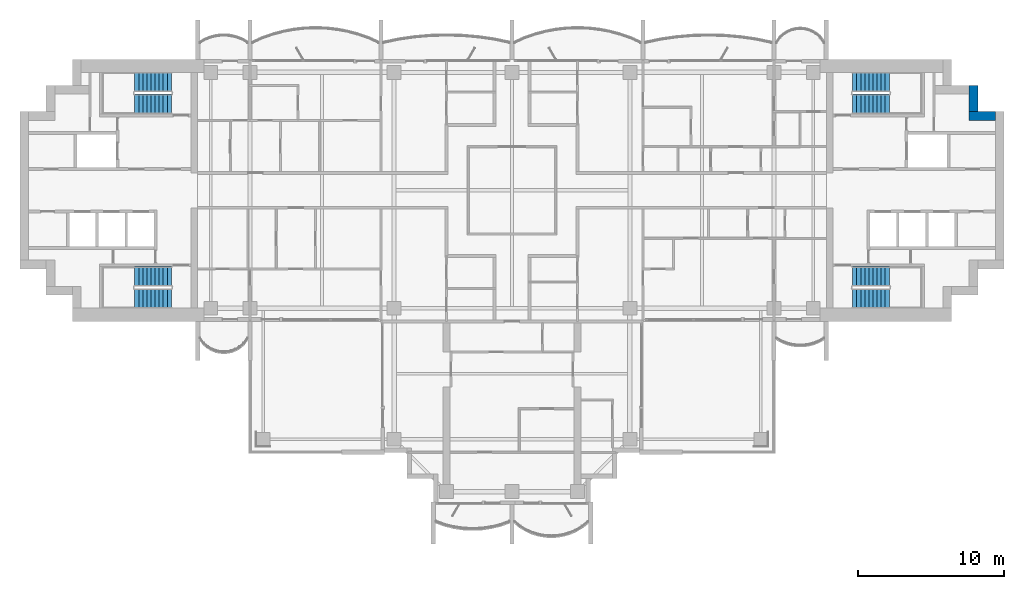
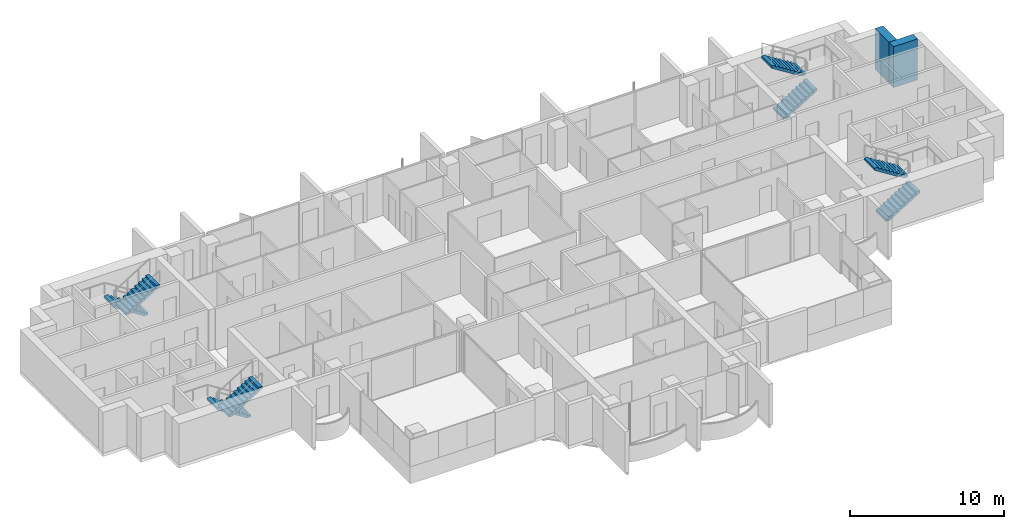
# One storey, part 14 of 18: 8 stair flights, 2 walls, 4 elements without a shape of their own.
"""IFC4 building model written with IfcOpenShell, lengths in metres."""

from ifc_helpers import new_model, si_unit, direction, frame, frame_2d, origin, place, context, subcontext, project, spatial, polyline, rectangle, outline, extrude, material, layer, layer_set, type_object, element, aggregate, save


model = new_model("IFC4")

# Units and contexts
model_context = context("Model", 3, precision=1e-05, world=origin(), true_north=direction((0.0, 1.0)))
body_context = subcontext(model_context, "Body", "Model", "MODEL_VIEW")
ifc_project = project(units=[si_unit("LENGTHUNIT", "METRE"), si_unit("AREAUNIT", "SQUARE_METRE"), si_unit("VOLUMEUNIT", "CUBIC_METRE"), si_unit("PLANEANGLEUNIT", "RADIAN"), si_unit("MASSUNIT", "GRAM", prefix="KILO")], contexts=[model_context])

# Site, building, storey
site_placement = place(None, origin())
site = spatial("IfcSite", under=ifc_project, at=site_placement, CompositionType="ELEMENT")
building_placement = place(site_placement, origin())
building = spatial("IfcBuilding", under=site, at=building_placement, Name="Perihelion Cross Residences", CompositionType="ELEMENT")
storey_placement = place(building_placement, frame((0.0, 0.0, 173.60009765625)))
storey = spatial("IfcBuildingStorey", under=building, at=storey_placement, Name="L42", CompositionType="ELEMENT", Elevation=173.60009765625)

# Walls
ifc_material_1 = material(Name="Concrete C60/75", Category="concrete")
ifc_layer = layer(ifc_material_1, 0.60009765625)
ifc_layer_set = layer_set([ifc_layer], Name="Core wall, outer 600")
wall_type = type_object("IfcWallType", Name="Core wall, outer 600", PredefinedType="SHEAR", material=ifc_layer_set)
for number, where, z_axis, x_axis, name in (
    (1, (31.39990234375, 5.10009765625, 0.0), (0.0, 0.0, 1.0), (1.0, 0.0, 0.0), "East core core wall, outer"),
    (2, (31.699951171875, 5.39990234375, 0.0), (0.0, 0.0, 1.0), (0.0, 1.0, 0.0), "East core core wall, outer"),
):
    element("IfcWall", number, at=place(storey_placement, frame(where, z_axis=z_axis, x_axis=x_axis)), inside=storey, type_object=wall_type, Name=name, PredefinedType="SHEAR", context=body_context, shape_type="SweptSolid", body=[
        extrude(rectangle(XDim=1.800048828125, YDim=0.60009765625, at=frame_2d((0.89990234375, 0.0))), origin(), (0.0, 0.0, 1.0), 3.25),
    ])

# Stair, stair flights
ifc_material_2 = material(Name="Concrete C40/50", Category="concrete")
stair_type = type_object("IfcStairType", Name="Exit stair, half-turn", PredefinedType="HALF_TURN_STAIR", material=ifc_material_2)
stair_1_placement = place(storey_placement, origin())
stair_1 = element("IfcStair", 3, at=stair_1_placement, inside=storey, type_object=stair_type, Name="L42 East core exit stair 1", PredefinedType="HALF_TURN_STAIR")
ifc_material_3 = material(Name="Concrete C40/50", Category="concrete")
stair_flight_type = type_object("IfcStairFlightType", Name="Exit stair flight", PredefinedType="STRAIGHT", material=ifc_material_3)
stair_flight_1_placement = place(storey_placement, frame((23.39990234375, 5.925048828125, 0.0), z_axis=(0.0, 0.0, 1.0), x_axis=(1.0, 0.0, 0.0)))
stair_flight_1 = element("IfcStairFlight", 4, at=stair_flight_1_placement, type_object=stair_flight_type, Name="ST-E1 flight 1", NumberOfRisers=10, NumberOfTreads=9, PredefinedType="STRAIGHT", RiserHeight=0.175, TreadLength=0.28, context=body_context, shape_type="SweptSolid", body=[
    extrude(outline(polyline([(0.0, 0.0), (0.0, 0.175048828125), (0.280029296875, 0.175048828125), (0.280029296875, 0.35009765625), (0.56005859375, 0.35009765625), (0.56005859375, 0.52490234375), (0.840087890625, 0.52490234375), (0.840087890625, 0.699951171875), (1.1201171875, 0.699951171875), (1.1201171875, 0.875), (1.39990234375, 0.875), (1.39990234375, 1.050048828125), (1.679931640625, 1.050048828125), (1.679931640625, 1.22509765625), (1.9599609375, 1.22509765625), (1.9599609375, 1.39990234375), (2.239990234375, 1.39990234375), (2.239990234375, 1.574951171875), (2.52001953125, 1.574951171875), (2.52001953125, 1.75), (2.52001953125, 1.398193359375), (0.28271484375, 0.0), (0.0, 0.0)])), frame((0.0, 0.675048828125, 0.0), z_axis=(0.0, -1.0, 0.0), x_axis=(1.0, 0.0, 0.0)), (0.0, 0.0, 1.0), 1.35009765625),
])
stair_flight_2_placement = place(storey_placement, frame((25.919921875, 7.425048828125, 1.75), z_axis=(0.0, 0.0, 1.0), x_axis=(-1.0, 0.0, 0.0)))
stair_flight_2 = element("IfcStairFlight", 5, at=stair_flight_2_placement, type_object=stair_flight_type, Name="ST-E1 flight 2", NumberOfRisers=10, NumberOfTreads=9, PredefinedType="STRAIGHT", RiserHeight=0.175, TreadLength=0.28, context=body_context, shape_type="SweptSolid", body=[
    extrude(outline(polyline([(0.0, 0.0), (0.0, 0.175048828125), (0.280029296875, 0.175048828125), (0.280029296875, 0.35009765625), (0.56005859375, 0.35009765625), (0.56005859375, 0.52490234375), (0.840087890625, 0.52490234375), (0.840087890625, 0.699951171875), (1.1201171875, 0.699951171875), (1.1201171875, 0.875), (1.39990234375, 0.875), (1.39990234375, 1.050048828125), (1.679931640625, 1.050048828125), (1.679931640625, 1.22509765625), (1.9599609375, 1.22509765625), (1.9599609375, 1.39990234375), (2.239990234375, 1.39990234375), (2.239990234375, 1.574951171875), (2.52001953125, 1.574951171875), (2.52001953125, 1.75), (2.52001953125, 1.398193359375), (0.28271484375, 0.0), (0.0, 0.0)])), frame((0.0, 0.675048828125, 0.0), z_axis=(0.0, -1.0, 0.0), x_axis=(1.0, 0.0, 0.0)), (0.0, 0.0, 1.0), 1.35009765625),
])
aggregate(stair_1, [stair_flight_1, stair_flight_2])

stair_2_placement = place(storey_placement, origin())
stair_2 = element("IfcStair", 6, at=stair_2_placement, inside=storey, type_object=stair_type, Name="L42 East core exit stair 2", PredefinedType="HALF_TURN_STAIR")
stair_flight_3_placement = place(storey_placement, frame((23.39990234375, -7.425048828125, 0.0), z_axis=(0.0, 0.0, 1.0), x_axis=(1.0, 0.0, 0.0)))
stair_flight_3 = element("IfcStairFlight", 7, at=stair_flight_3_placement, type_object=stair_flight_type, Name="ST-E2 flight 1", NumberOfRisers=10, NumberOfTreads=9, PredefinedType="STRAIGHT", RiserHeight=0.175, TreadLength=0.28, context=body_context, shape_type="SweptSolid", body=[
    extrude(outline(polyline([(0.0, 0.0), (0.0, 0.175048828125), (0.280029296875, 0.175048828125), (0.280029296875, 0.35009765625), (0.56005859375, 0.35009765625), (0.56005859375, 0.52490234375), (0.840087890625, 0.52490234375), (0.840087890625, 0.699951171875), (1.1201171875, 0.699951171875), (1.1201171875, 0.875), (1.39990234375, 0.875), (1.39990234375, 1.050048828125), (1.679931640625, 1.050048828125), (1.679931640625, 1.22509765625), (1.9599609375, 1.22509765625), (1.9599609375, 1.39990234375), (2.239990234375, 1.39990234375), (2.239990234375, 1.574951171875), (2.52001953125, 1.574951171875), (2.52001953125, 1.75), (2.52001953125, 1.398193359375), (0.28271484375, 0.0), (0.0, 0.0)])), frame((0.0, 0.675048828125, 0.0), z_axis=(0.0, -1.0, 0.0), x_axis=(1.0, 0.0, 0.0)), (0.0, 0.0, 1.0), 1.35009765625),
])
stair_flight_4_placement = place(storey_placement, frame((25.919921875, -5.925048828125, 1.75), z_axis=(0.0, 0.0, 1.0), x_axis=(-1.0, 0.0, 0.0)))
stair_flight_4 = element("IfcStairFlight", 8, at=stair_flight_4_placement, type_object=stair_flight_type, Name="ST-E2 flight 2", NumberOfRisers=10, NumberOfTreads=9, PredefinedType="STRAIGHT", RiserHeight=0.175, TreadLength=0.28, context=body_context, shape_type="SweptSolid", body=[
    extrude(outline(polyline([(0.0, 0.0), (0.0, 0.175048828125), (0.280029296875, 0.175048828125), (0.280029296875, 0.35009765625), (0.56005859375, 0.35009765625), (0.56005859375, 0.52490234375), (0.840087890625, 0.52490234375), (0.840087890625, 0.699951171875), (1.1201171875, 0.699951171875), (1.1201171875, 0.875), (1.39990234375, 0.875), (1.39990234375, 1.050048828125), (1.679931640625, 1.050048828125), (1.679931640625, 1.22509765625), (1.9599609375, 1.22509765625), (1.9599609375, 1.39990234375), (2.239990234375, 1.39990234375), (2.239990234375, 1.574951171875), (2.52001953125, 1.574951171875), (2.52001953125, 1.75), (2.52001953125, 1.398193359375), (0.28271484375, 0.0), (0.0, 0.0)])), frame((0.0, 0.675048828125, 0.0), z_axis=(0.0, -1.0, 0.0), x_axis=(1.0, 0.0, 0.0)), (0.0, 0.0, 1.0), 1.35009765625),
])
aggregate(stair_2, [stair_flight_3, stair_flight_4])

stair_3_placement = place(storey_placement, origin())
stair_3 = element("IfcStair", 9, at=stair_3_placement, inside=storey, type_object=stair_type, Name="L42 West core exit stair 1", PredefinedType="HALF_TURN_STAIR")
stair_flight_5_placement = place(storey_placement, frame((-23.39990234375, 7.425048828125, 0.0), z_axis=(0.0, 0.0, 1.0), x_axis=(-1.0, 0.0, 0.0)))
stair_flight_5 = element("IfcStairFlight", 10, at=stair_flight_5_placement, type_object=stair_flight_type, Name="ST-W1 flight 1", NumberOfRisers=10, NumberOfTreads=9, PredefinedType="STRAIGHT", RiserHeight=0.175, TreadLength=0.28, context=body_context, shape_type="SweptSolid", body=[
    extrude(outline(polyline([(0.0, 0.0), (0.0, 0.175048828125), (0.280029296875, 0.175048828125), (0.280029296875, 0.35009765625), (0.56005859375, 0.35009765625), (0.56005859375, 0.52490234375), (0.840087890625, 0.52490234375), (0.840087890625, 0.699951171875), (1.1201171875, 0.699951171875), (1.1201171875, 0.875), (1.39990234375, 0.875), (1.39990234375, 1.050048828125), (1.679931640625, 1.050048828125), (1.679931640625, 1.22509765625), (1.9599609375, 1.22509765625), (1.9599609375, 1.39990234375), (2.239990234375, 1.39990234375), (2.239990234375, 1.574951171875), (2.52001953125, 1.574951171875), (2.52001953125, 1.75), (2.52001953125, 1.398193359375), (0.28271484375, 0.0), (0.0, 0.0)])), frame((0.0, 0.675048828125, 0.0), z_axis=(0.0, -1.0, 0.0), x_axis=(1.0, 0.0, 0.0)), (0.0, 0.0, 1.0), 1.35009765625),
])
stair_flight_6_placement = place(storey_placement, frame((-25.919921875, 5.925048828125, 1.75), z_axis=(0.0, 0.0, 1.0), x_axis=(1.0, 0.0, 0.0)))
stair_flight_6 = element("IfcStairFlight", 11, at=stair_flight_6_placement, type_object=stair_flight_type, Name="ST-W1 flight 2", NumberOfRisers=10, NumberOfTreads=9, PredefinedType="STRAIGHT", RiserHeight=0.175, TreadLength=0.28, context=body_context, shape_type="SweptSolid", body=[
    extrude(outline(polyline([(0.0, 0.0), (0.0, 0.175048828125), (0.280029296875, 0.175048828125), (0.280029296875, 0.35009765625), (0.56005859375, 0.35009765625), (0.56005859375, 0.52490234375), (0.840087890625, 0.52490234375), (0.840087890625, 0.699951171875), (1.1201171875, 0.699951171875), (1.1201171875, 0.875), (1.39990234375, 0.875), (1.39990234375, 1.050048828125), (1.679931640625, 1.050048828125), (1.679931640625, 1.22509765625), (1.9599609375, 1.22509765625), (1.9599609375, 1.39990234375), (2.239990234375, 1.39990234375), (2.239990234375, 1.574951171875), (2.52001953125, 1.574951171875), (2.52001953125, 1.75), (2.52001953125, 1.398193359375), (0.28271484375, 0.0), (0.0, 0.0)])), frame((0.0, 0.675048828125, 0.0), z_axis=(0.0, -1.0, 0.0), x_axis=(1.0, 0.0, 0.0)), (0.0, 0.0, 1.0), 1.35009765625),
])
aggregate(stair_3, [stair_flight_5, stair_flight_6])

stair_4_placement = place(storey_placement, origin())
stair_4 = element("IfcStair", 12, at=stair_4_placement, inside=storey, type_object=stair_type, Name="L42 West core exit stair 2", PredefinedType="HALF_TURN_STAIR")
stair_flight_7_placement = place(storey_placement, frame((-23.39990234375, -5.925048828125, 0.0), z_axis=(0.0, 0.0, 1.0), x_axis=(-1.0, 0.0, 0.0)))
stair_flight_7 = element("IfcStairFlight", 13, at=stair_flight_7_placement, type_object=stair_flight_type, Name="ST-W2 flight 1", NumberOfRisers=10, NumberOfTreads=9, PredefinedType="STRAIGHT", RiserHeight=0.175, TreadLength=0.28, context=body_context, shape_type="SweptSolid", body=[
    extrude(outline(polyline([(0.0, 0.0), (0.0, 0.175048828125), (0.280029296875, 0.175048828125), (0.280029296875, 0.35009765625), (0.56005859375, 0.35009765625), (0.56005859375, 0.52490234375), (0.840087890625, 0.52490234375), (0.840087890625, 0.699951171875), (1.1201171875, 0.699951171875), (1.1201171875, 0.875), (1.39990234375, 0.875), (1.39990234375, 1.050048828125), (1.679931640625, 1.050048828125), (1.679931640625, 1.22509765625), (1.9599609375, 1.22509765625), (1.9599609375, 1.39990234375), (2.239990234375, 1.39990234375), (2.239990234375, 1.574951171875), (2.52001953125, 1.574951171875), (2.52001953125, 1.75), (2.52001953125, 1.398193359375), (0.28271484375, 0.0), (0.0, 0.0)])), frame((0.0, 0.675048828125, 0.0), z_axis=(0.0, -1.0, 0.0), x_axis=(1.0, 0.0, 0.0)), (0.0, 0.0, 1.0), 1.35009765625),
])
stair_flight_8_placement = place(storey_placement, frame((-25.919921875, -7.425048828125, 1.75), z_axis=(0.0, 0.0, 1.0), x_axis=(1.0, 0.0, 0.0)))
stair_flight_8 = element("IfcStairFlight", 14, at=stair_flight_8_placement, type_object=stair_flight_type, Name="ST-W2 flight 2", NumberOfRisers=10, NumberOfTreads=9, PredefinedType="STRAIGHT", RiserHeight=0.175, TreadLength=0.28, context=body_context, shape_type="SweptSolid", body=[
    extrude(outline(polyline([(0.0, 0.0), (0.0, 0.175048828125), (0.280029296875, 0.175048828125), (0.280029296875, 0.35009765625), (0.56005859375, 0.35009765625), (0.56005859375, 0.52490234375), (0.840087890625, 0.52490234375), (0.840087890625, 0.699951171875), (1.1201171875, 0.699951171875), (1.1201171875, 0.875), (1.39990234375, 0.875), (1.39990234375, 1.050048828125), (1.679931640625, 1.050048828125), (1.679931640625, 1.22509765625), (1.9599609375, 1.22509765625), (1.9599609375, 1.39990234375), (2.239990234375, 1.39990234375), (2.239990234375, 1.574951171875), (2.52001953125, 1.574951171875), (2.52001953125, 1.75), (2.52001953125, 1.398193359375), (0.28271484375, 0.0), (0.0, 0.0)])), frame((0.0, 0.675048828125, 0.0), z_axis=(0.0, -1.0, 0.0), x_axis=(1.0, 0.0, 0.0)), (0.0, 0.0, 1.0), 1.35009765625),
])
aggregate(stair_4, [stair_flight_7, stair_flight_8])

save(model, "model.ifc")
